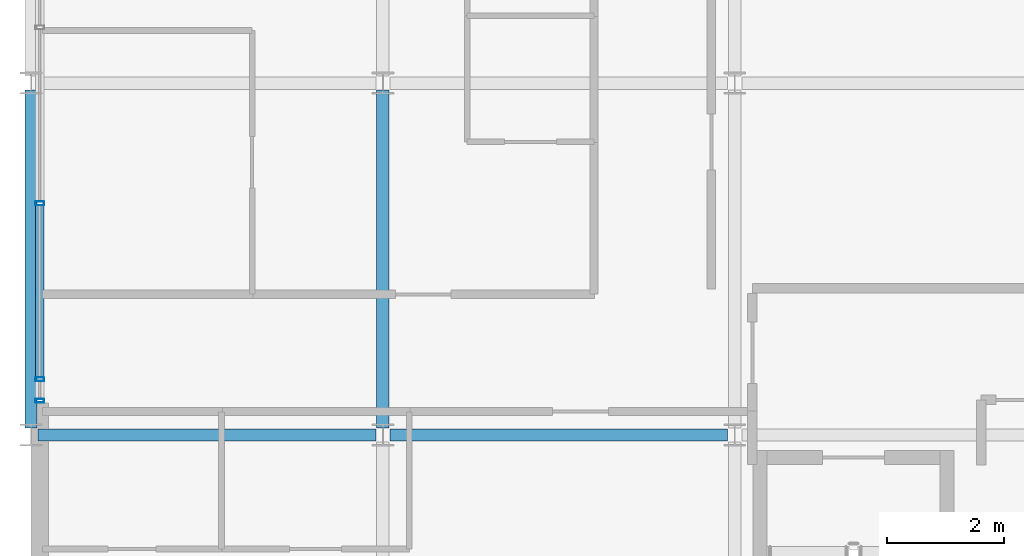
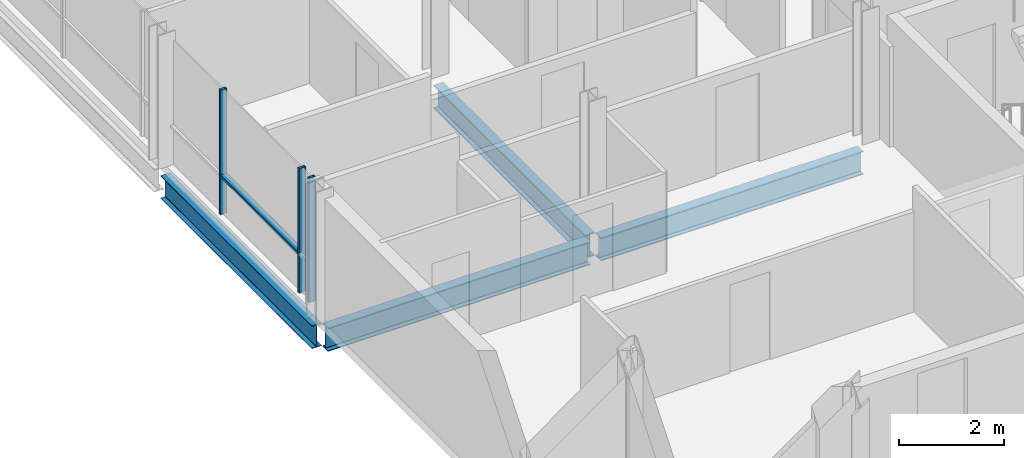
# One storey, part 4 of 29: 4 beams, 4 members, 1 element without a shape of its own.
"""IFC4 building model written with IfcOpenShell, lengths in metres."""

from ifc_helpers import new_model, si_unit, direction, frame, origin, origin_2d, place, context, subcontext, project, spatial, hollow_rectangle, i_section, extrude, material, layer, layer_set, material_profile, profile_set, type_object, element, aggregate, save


model = new_model("IFC4")

# Units and contexts
model_context = context("Model", 3, precision=1e-05, world=origin(), true_north=direction((0.0, 1.0)))
body_context = subcontext(model_context, "Body", "Model", "MODEL_VIEW")
ifc_project = project(units=[si_unit("LENGTHUNIT", "METRE"), si_unit("AREAUNIT", "SQUARE_METRE"), si_unit("VOLUMEUNIT", "CUBIC_METRE"), si_unit("PLANEANGLEUNIT", "RADIAN"), si_unit("MASSUNIT", "GRAM", prefix="KILO")], contexts=[model_context])

# Site, building, storey
site_placement = place(None, origin())
site = spatial("IfcSite", under=ifc_project, at=site_placement, CompositionType="ELEMENT")
building_placement = place(site_placement, origin())
building = spatial("IfcBuilding", under=site, at=building_placement, Name="Brevholm Reach", CompositionType="ELEMENT")
storey_placement = place(building_placement, frame((0.0, 0.0, 201.800048828125)))
storey = spatial("IfcBuildingStorey", under=building, at=storey_placement, Name="L61", CompositionType="ELEMENT", Elevation=201.800048828125)

# Beams
ifc_material_1 = material(Name="Structural Steel S355J2", Category="steel")
ifc_material_profile_1 = material_profile(ifc_material_1, i_section(OverallWidth=0.209228515625, OverallDepth=0.533203125, WebThickness=0.010009765625, FlangeThickness=0.015625, FilletRadius=0.0126953125, at=origin_2d()), Name="UKB 533x210x92")
ifc_profile_set_1 = profile_set([ifc_material_profile_1], Name="Structural Steel S355J2")
beam_type_1 = type_object("IfcBeamType", Name="BM-SP533", PredefinedType="SPANDREL", material=ifc_profile_set_1)
beam_placement = place(storey_placement, frame((0.0, 10.1201171875, -0.4765625), z_axis=(0.0, 1.0, 0.0), x_axis=(-1.0, 0.0, 0.0)))
element("IfcBeam", 1, at=beam_placement, inside=storey, type_object=beam_type_1, Name="L61 SP-02 Framing Beam", PredefinedType="SPANDREL", context=body_context, shape_type="SweptSolid", body=[
    extrude(i_section(OverallWidth=0.209228515625, OverallDepth=0.533203125, WebThickness=0.010009765625, FlangeThickness=0.015625, FilletRadius=0.0126953125, at=origin_2d()), origin(), (0.0, 0.0, 1.0), 5.759765625),
])
ifc_material_2 = material(Name="Structural Steel S355J2", Category="steel")
ifc_material_profile_2 = material_profile(ifc_material_2, i_section(OverallWidth=0.210693359375, OverallDepth=0.53955078125, WebThickness=0.01171875, FlangeThickness=0.018798828125, FilletRadius=0.0126953125, at=origin_2d()), Name="UKB 533x210x109")
ifc_profile_set_2 = profile_set([ifc_material_profile_2], Name="Structural Steel S355J2")
beam_type_2 = type_object("IfcBeamType", Name="BM-SP539", PredefinedType="SPANDREL", material=ifc_profile_set_2)
for number, where, z_axis, x_axis, name in (
    (2, (0.1201171875, 10.0, -0.479736328125), (1.0, 0.0, 0.0), (0.0, 1.0, 0.0), "L61 SP-01B Framing Beam"),
    (3, (6.1201171875, 10.0, -0.479736328125), (1.0, 0.0, 0.0), (0.0, 1.0, 0.0), "L61 SP-01B Framing Beam"),
    (4, (6.0, 10.1201171875, -0.479736328125), (0.0, 1.0, 0.0), (-1.0, 0.0, 0.0), "L61 SP-01B Framing Beam"),
):
    element("IfcBeam", number, at=place(storey_placement, frame(where, z_axis=z_axis, x_axis=x_axis)), inside=storey, type_object=beam_type_2, Name=name, PredefinedType="SPANDREL", context=body_context, shape_type="SweptSolid", body=[
        extrude(i_section(OverallWidth=0.210693359375, OverallDepth=0.53955078125, WebThickness=0.01171875, FlangeThickness=0.018798828125, FilletRadius=0.0126953125, at=origin_2d()), origin(), (0.0, 0.0, 1.0), 5.759765625),
    ])

# Curtain wall, members
ifc_material_3 = material(Name="Dark Anodised Aluminium 6063-T6 and Solar-Control Glass", Category="aluminium")
ifc_layer = layer(ifc_material_3, 0.14990234375)
ifc_layer_set = layer_set([ifc_layer], Name="Dark Anodised Aluminium 6063-T6 and Solar-Control Glass")
curtain_wall_type = type_object("IfcCurtainWallType", Name="CW-01", PredefinedType="NOTDEFINED", material=ifc_layer_set)
curtain_wall_placement = place(storey_placement, origin())
curtain_wall = element("IfcCurtainWall", 5, at=curtain_wall_placement, inside=storey, type_object=curtain_wall_type, Name="L61 Curtain Wall CW-01", PredefinedType="NOTDEFINED")
ifc_material_4 = material(Name="Dark Anodised Aluminium 6063-T6", Category="aluminium")
ifc_material_profile_3 = material_profile(ifc_material_4, hollow_rectangle(XDim=0.06494140625, YDim=0.14990234375, WallThickness=0.0048828125, InnerFilletRadius=0.0048828125, OuterFilletRadius=0.010009765625, at=origin_2d()), Name="RHS 150x65x5")
ifc_profile_set_3 = profile_set([ifc_material_profile_3], Name="Dark Anodised Aluminium 6063-T6")
member_type_1 = type_object("IfcMemberType", Name="CWM-150", PredefinedType="MULLION", material=ifc_profile_set_3)
member_1_placement = place(storey_placement, frame((0.14990234375, 13.949951171875, 0.0), z_axis=(0.0, 0.0, 1.0), x_axis=(0.0, -1.0, 0.0)))
member_1 = element("IfcMember", 6, at=member_1_placement, type_object=member_type_1, Name="CM-150 Mullion 4", PredefinedType="MULLION", context=body_context, shape_type="SweptSolid", body=[
    extrude(hollow_rectangle(XDim=0.06494140625, YDim=0.14990234375, WallThickness=0.0048828125, InnerFilletRadius=0.0048828125, OuterFilletRadius=0.010009765625, at=origin_2d()), origin(), (0.0, 0.0, 1.0), 2.889892578125),
])
member_2_placement = place(storey_placement, frame((0.14990234375, 10.949951171875, 0.0), z_axis=(0.0, 0.0, 1.0), x_axis=(0.0, -1.0, 0.0)))
member_2 = element("IfcMember", 7, at=member_2_placement, type_object=member_type_1, Name="CM-150 Mullion 5", PredefinedType="MULLION", context=body_context, shape_type="SweptSolid", body=[
    extrude(hollow_rectangle(XDim=0.06494140625, YDim=0.14990234375, WallThickness=0.0048828125, InnerFilletRadius=0.0048828125, OuterFilletRadius=0.010009765625, at=origin_2d()), origin(), (0.0, 0.0, 1.0), 2.889892578125),
])
member_3_placement = place(storey_placement, frame((0.14990234375, 10.58251953125, 0.0), z_axis=(0.0, 0.0, 1.0), x_axis=(0.0, -1.0, 0.0)))
member_3 = element("IfcMember", 8, at=member_3_placement, type_object=member_type_1, Name="CM-150 Mullion 6", PredefinedType="MULLION", context=body_context, shape_type="SweptSolid", body=[
    extrude(hollow_rectangle(XDim=0.06494140625, YDim=0.14990234375, WallThickness=0.0048828125, InnerFilletRadius=0.0048828125, OuterFilletRadius=0.010009765625, at=origin_2d()), origin(), (0.0, 0.0, 1.0), 2.889892578125),
])
ifc_material_5 = material(Name="Dark Anodised Aluminium 6063-T6", Category="aluminium")
ifc_material_profile_4 = material_profile(ifc_material_5, hollow_rectangle(XDim=0.06494140625, YDim=0.14990234375, WallThickness=0.0048828125, InnerFilletRadius=0.0048828125, OuterFilletRadius=0.010009765625, at=origin_2d()), Name="RHS 150x65x5")
ifc_profile_set_4 = profile_set([ifc_material_profile_4], Name="Dark Anodised Aluminium 6063-T6")
member_type_2 = type_object("IfcMemberType", Name="CWT-150", PredefinedType="NOTDEFINED", material=ifc_profile_set_4)
member_4_placement = place(storey_placement, frame((0.14990234375, 13.91748046875, 0.89990234375), z_axis=(0.0, -1.0, 0.0), x_axis=(0.0, 0.0, 1.0)))
member_4 = element("IfcMember", 9, at=member_4_placement, type_object=member_type_2, Name="CT-150 Transom 4.1", ObjectType="TRANSOM", PredefinedType="USERDEFINED", context=body_context, shape_type="SweptSolid", body=[
    extrude(hollow_rectangle(XDim=0.06494140625, YDim=0.14990234375, WallThickness=0.0048828125, InnerFilletRadius=0.0048828125, OuterFilletRadius=0.010009765625, at=origin_2d()), origin(), (0.0, 0.0, 1.0), 2.93505859375),
])
aggregate(curtain_wall, [member_1, member_2, member_3, member_4])

save(model, "model.ifc")
